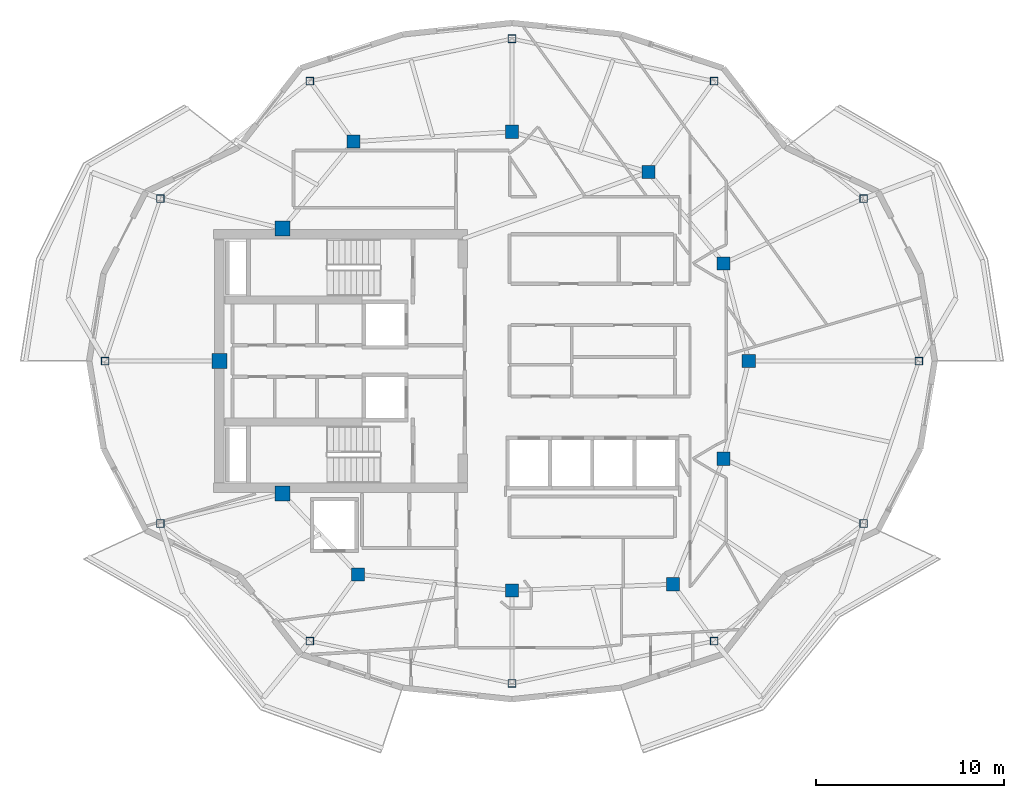
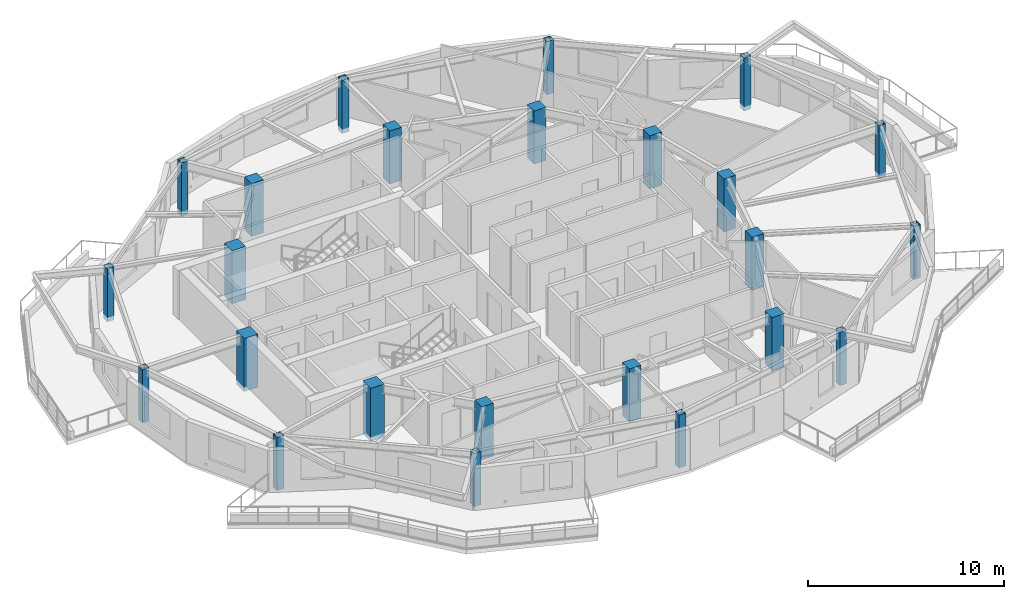
# One storey, part 1 of 11: 24 columns.
"""IFC4 building model written with IfcOpenShell, lengths in metres."""

from ifc_helpers import new_model, si_unit, direction, frame, origin, origin_2d, place, context, subcontext, project, spatial, rectangle, hollow_rectangle, extrude, material, material_profile, profile_set, type_object, element, save


model = new_model("IFC4")

# Units and contexts
model_context = context("Model", 3, precision=1e-05, world=origin(), true_north=direction((0.0, 1.0)))
body_context = subcontext(model_context, "Body", "Model", "MODEL_VIEW")
ifc_project = project(units=[si_unit("LENGTHUNIT", "METRE"), si_unit("AREAUNIT", "SQUARE_METRE"), si_unit("VOLUMEUNIT", "CUBIC_METRE"), si_unit("PLANEANGLEUNIT", "RADIAN"), si_unit("MASSUNIT", "GRAM", prefix="KILO")], contexts=[model_context])

# Site, building, storey
site_placement = place(None, origin())
site = spatial("IfcSite", under=ifc_project, at=site_placement, CompositionType="ELEMENT")
building_placement = place(site_placement, origin())
building = spatial("IfcBuilding", under=site, at=building_placement, Name="Kolvaren Gate Tower and Convention Centre", CompositionType="ELEMENT")
storey_placement = place(building_placement, frame((0.0, 0.0, 242.60009765625)))
storey = spatial("IfcBuildingStorey", under=building, at=storey_placement, Name="L65", CompositionType="ELEMENT", Elevation=242.60009765625)

# Columns
ifc_material_1 = material(Name="Structural steel ASTM A500 Grade C 345 MPa", Category="steel")
ifc_material_profile_1 = material_profile(ifc_material_1, hollow_rectangle(XDim=0.406005859375, YDim=0.406005859375, WallThickness=0.015869140625, at=origin_2d()), Name="HSS406X406X15.9")
ifc_profile_set_1 = profile_set([ifc_material_profile_1], Name="Structural steel ASTM A500 Grade C 345 MPa")
column_type_1 = type_object("IfcColumnType", Name="STR-COL-HSS406", PredefinedType="COLUMN", material=ifc_profile_set_1)
for number, where, z_axis, x_axis, name in (
    (1, (51.77490234375, 27.0, -0.27001953125), (0.0, 0.0, 1.0), (1.0, 0.0, 0.0), "Tower L65 Perimeter Supercolumn TP-01"),
    (2, (48.8388671875, 35.6435546875, -0.27001953125), (0.0, 0.0, 1.0), (1.0, 0.0, 0.0), "Tower L65 Perimeter Supercolumn TP-02"),
    (3, (40.877685546875, 41.899169921875, -0.27001953125), (0.0, 0.0, 1.0), (1.0, 0.0, 0.0), "Tower L65 Perimeter Supercolumn TP-03"),
    (4, (30.125, 44.14990234375, -0.27001953125), (0.0, 0.0, 1.0), (1.0, 0.0, 0.0), "Tower L65 Perimeter Supercolumn TP-04"),
    (5, (19.372314453125, 41.899169921875, -0.27001953125), (0.0, 0.0, 1.0), (1.0, 0.0, 0.0), "Tower L65 Perimeter Supercolumn TP-05"),
    (6, (11.4111328125, 35.6435546875, -0.27001953125), (0.0, 0.0, 1.0), (1.0, 0.0, 0.0), "Tower L65 Perimeter Supercolumn TP-06"),
    (7, (8.47509765625, 27.0, -0.27001953125), (0.0, 0.0, 1.0), (1.0, 0.0, 0.0), "Tower L65 Perimeter Supercolumn TP-07"),
    (8, (11.4111328125, 18.3564453125, -0.27001953125), (0.0, 0.0, 1.0), (1.0, 0.0, 0.0), "Tower L65 Perimeter Supercolumn TP-08"),
    (9, (19.372314453125, 12.100830078125, -0.27001953125), (0.0, 0.0, 1.0), (1.0, 0.0, 0.0), "Tower L65 Perimeter Supercolumn TP-09"),
    (10, (30.125, 9.85009765625, -0.27001953125), (0.0, 0.0, 1.0), (1.0, 0.0, 0.0), "Tower L65 Perimeter Supercolumn TP-10"),
    (11, (40.877685546875, 12.100830078125, -0.27001953125), (0.0, 0.0, 1.0), (1.0, 0.0, 0.0), "Tower L65 Perimeter Supercolumn TP-11"),
    (12, (48.8388671875, 18.3564453125, -0.27001953125), (0.0, 0.0, 1.0), (1.0, 0.0, 0.0), "Tower L65 Perimeter Supercolumn TP-12"),
):
    element("IfcColumn", number, at=place(storey_placement, frame(where, z_axis=z_axis, x_axis=x_axis)), inside=storey, type_object=column_type_1, Name=name, PredefinedType="COLUMN", context=body_context, shape_type="SweptSolid", body=[
        extrude(hollow_rectangle(XDim=0.406005859375, YDim=0.406005859375, WallThickness=0.015869140625, at=origin_2d()), origin(), (0.0, 0.0, 1.0), 3.2998046875),
    ])
ifc_material_2 = material(Name="Concrete C50/60", Category="concrete")
ifc_material_profile_2 = material_profile(ifc_material_2, rectangle(XDim=0.699951171875, YDim=0.699951171875, at=origin_2d()), Name="RC-COL-700X700")
ifc_profile_set_2 = profile_set([ifc_material_profile_2], Name="Concrete C50/60")
column_type_2 = type_object("IfcColumnType", Name="STR-COL-RC700", PredefinedType="COLUMN", material=ifc_profile_set_2)
for number, where, z_axis, x_axis, name in (
    (13, (42.72509765625, 27.0, -0.27001953125), (0.0, 0.0, 1.0), (1.0, 0.0, 0.0), "Tower L65 Interior Column TI-01"),
    (14, (41.382080078125, 32.199462890625, -0.27001953125), (0.0, 0.0, 1.0), (1.0, 0.0, 0.0), "Tower L65 Interior Column TI-02"),
    (15, (37.381591796875, 37.054931640625, -0.27001953125), (0.0, 0.0, 1.0), (1.0, 0.0, 0.0), "Tower L65 Interior Column TI-03"),
    (16, (30.125, 39.199951171875, -0.27001953125), (0.0, 0.0, 1.0), (1.0, 0.0, 0.0), "Tower L65 Interior Column TI-04"),
    (17, (21.697998046875, 38.6767578125, -0.27001953125), (0.0, 0.0, 1.0), (1.0, 0.0, 0.0), "Tower L65 Interior Column TI-05"),
    (18, (21.93212890625, 15.647705078125, -0.27001953125), (0.0, 0.0, 1.0), (1.0, 0.0, 0.0), "Tower L65 Interior Column TI-06"),
    (19, (30.125, 14.800048828125, -0.27001953125), (0.0, 0.0, 1.0), (1.0, 0.0, 0.0), "Tower L65 Interior Column TI-07"),
    (20, (38.6982421875, 15.12060546875, -0.27001953125), (0.0, 0.0, 1.0), (1.0, 0.0, 0.0), "Tower L65 Interior Column TI-08"),
    (21, (41.382080078125, 21.800537109375, -0.27001953125), (0.0, 0.0, 1.0), (1.0, 0.0, 0.0), "Tower L65 Interior Column TI-09"),
):
    element("IfcColumn", number, at=place(storey_placement, frame(where, z_axis=z_axis, x_axis=x_axis)), inside=storey, type_object=column_type_2, Name=name, PredefinedType="COLUMN", context=body_context, shape_type="SweptSolid", body=[
        extrude(rectangle(XDim=0.699951171875, YDim=0.699951171875, at=origin_2d()), origin(), (0.0, 0.0, 1.0), 3.2998046875),
    ])
ifc_material_3 = material(Name="Concrete C60/75", Category="concrete")
ifc_material_profile_3 = material_profile(ifc_material_3, rectangle(XDim=0.800048828125, YDim=0.800048828125, at=origin_2d()), Name="RC-COL-800X800")
ifc_profile_set_3 = profile_set([ifc_material_profile_3], Name="Concrete C60/75")
column_type_3 = type_object("IfcColumnType", Name="STR-PIL-RC800", PredefinedType="PILASTER", material=ifc_profile_set_3)
for number, where, z_axis, x_axis, name in (
    (22, (17.9140625, 34.050048828125, -0.27001953125), (0.0, 0.0, 1.0), (1.0, 0.0, 0.0), "Tower L65 Core Boundary Pilaster TC-05"),
    (23, (14.550048828125, 27.0, -0.27001953125), (0.0, 0.0, 1.0), (1.0, 0.0, 0.0), "Tower L65 Core Boundary Pilaster TC-06"),
    (24, (17.9140625, 19.949951171875, -0.27001953125), (0.0, 0.0, 1.0), (1.0, 0.0, 0.0), "Tower L65 Core Boundary Pilaster TC-07"),
):
    element("IfcColumn", number, at=place(storey_placement, frame(where, z_axis=z_axis, x_axis=x_axis)), inside=storey, type_object=column_type_3, Name=name, PredefinedType="PILASTER", context=body_context, shape_type="SweptSolid", body=[
        extrude(rectangle(XDim=0.800048828125, YDim=0.800048828125, at=origin_2d()), origin(), (0.0, 0.0, 1.0), 3.2998046875),
    ])

save(model, "model.ifc")
